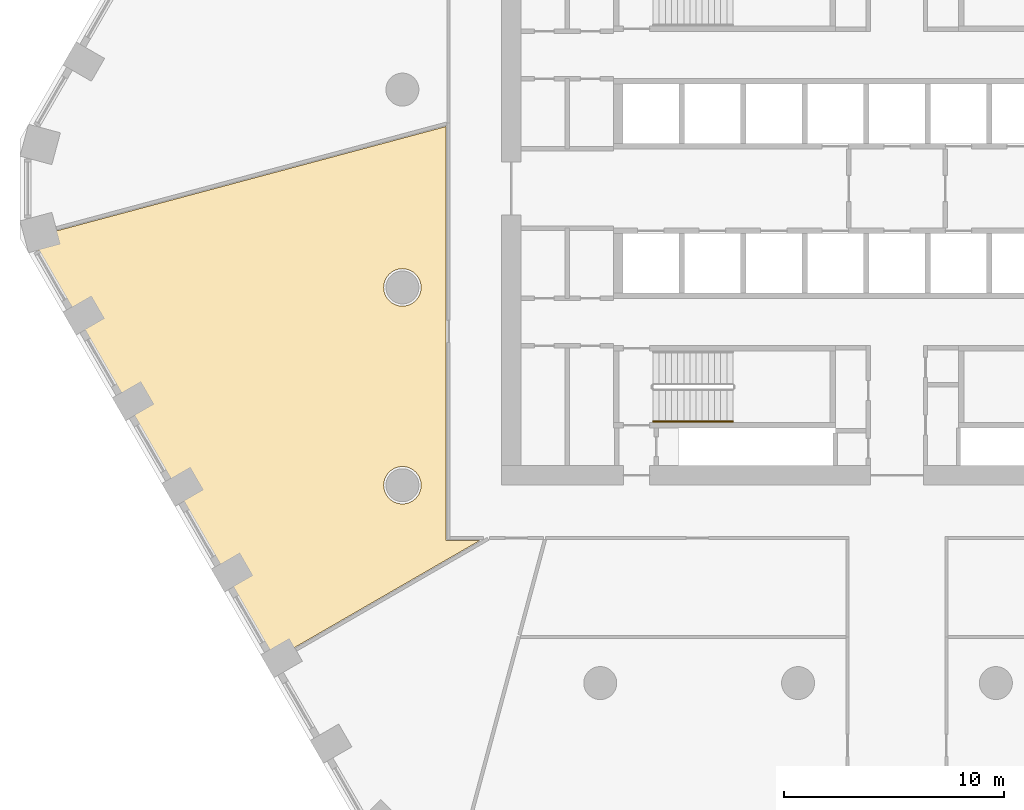
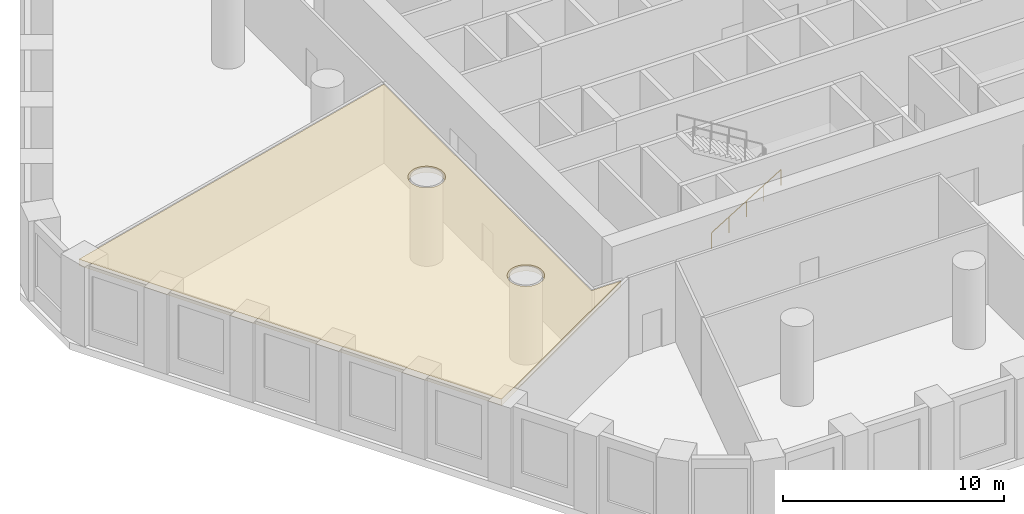
# One storey, part 12 of 13: 1 covering, 1 railing.
"""IFC4 building model written with IfcOpenShell, lengths in metres."""

import ifcopenshell
import ifcopenshell.guid

model = None  # the IFC model being written
_history = None  # IfcOwnerHistory: only IFC2X3 demands one
_inside = {}  # id of a spatial element -> (the spatial element, [elements in it])
_under = {}  # id of a project, library or spatial element -> (it, [spatial elements below it])
_declared = {}  # id of a project -> (the project, [libraries it declares])
_typed = {}  # id of a type object -> (the type object, [elements of that type])
_made_of = {}  # id of a material, layer set ... -> (it, [elements and type objects made of it])


def new_model(schema):
    """Start an empty IFC model of exactly this schema.

    Asked for "IFC4X3", IfcOpenShell would pick the latest addendum, in which some entities
    have other attributes; the version numbers below select the first issue.
    IFC2X3 requires an IfcOwnerHistory on every rooted entity: one is made here for all.
    """
    global model, _history
    if schema == "IFC4X3":
        model = ifcopenshell.file(schema_version=(4, 3, 0, 0))
    else:
        model = ifcopenshell.file(schema=schema)
    _inside.clear()
    _under.clear()
    _declared.clear()
    _typed.clear()
    _made_of.clear()
    _history = None
    if model.schema == "IFC2X3":
        org = make("IfcOrganization", Name="unknown")
        user = make(
            "IfcPersonAndOrganization",
            ThePerson=make("IfcPerson", FamilyName="unknown"),
            TheOrganization=org,
        )
        app = make(
            "IfcApplication",
            ApplicationDeveloper=org,
            Version="unknown",
            ApplicationFullName="unknown",
            ApplicationIdentifier="unknown",
        )
        _history = make(
            "IfcOwnerHistory",
            OwningUser=user,
            OwningApplication=app,
            ChangeAction="ADDED",
            CreationDate=0,
        )
    return model


def make(cls, **values):
    """One entity of the class cls with the attributes given. An attribute that is None is left unset."""
    return model.create_entity(
        cls, **{name: value for name, value in values.items() if value is not None}
    )


def rooted(cls, **values):
    """An entity with a GlobalId (a new one), such as an element, a storey or a relation."""
    return make(cls, GlobalId=ifcopenshell.guid.new(), OwnerHistory=_history, **values)


def si_unit(unit_type, name, prefix=None):
    """IfcSIUnit, for example si_unit("LENGTHUNIT", "METRE", prefix="MILLI")."""
    return make("IfcSIUnit", UnitType=unit_type, Prefix=prefix, Name=name)


def assignment(units):
    """IfcUnitAssignment: the units of a project."""
    return None if units is None else make("IfcUnitAssignment", Units=units)


def point(xyz):
    """IfcCartesianPoint."""
    return None if xyz is None else make("IfcCartesianPoint", Coordinates=xyz)


def direction(xyz):
    """IfcDirection."""
    return None if xyz is None else make("IfcDirection", DirectionRatios=xyz)


def frame(location, z_axis=None, x_axis=None):
    """IfcAxis2Placement3D, a coordinate frame: its origin and axes. An axis left out is left unset."""
    return make(
        "IfcAxis2Placement3D",
        Location=point(location),
        Axis=direction(z_axis),
        RefDirection=direction(x_axis),
    )


def frame_2d(location, x_axis=None):
    """IfcAxis2Placement2D, a coordinate frame in the plane: its origin and x axis."""
    return make(
        "IfcAxis2Placement2D", Location=point(location), RefDirection=direction(x_axis)
    )


def origin():
    """The frame at (0, 0, 0) with its axes left unset."""
    return frame((0.0, 0.0, 0.0))


def origin_2d():
    """The frame at (0, 0) in the plane with its x axis left unset."""
    return frame_2d((0.0, 0.0))


def place(relative_to, where):
    """IfcLocalPlacement: puts the frame where relative to a parent placement (None: the world)."""
    return make(
        "IfcLocalPlacement", PlacementRelTo=relative_to, RelativePlacement=where
    )


def context(
    kind, dimensions, precision=None, world=None, true_north=None, identifier=None
):
    """IfcGeometricRepresentationContext, for example the 3D "Model" context."""
    return make(
        "IfcGeometricRepresentationContext",
        ContextIdentifier=identifier,
        ContextType=kind,
        CoordinateSpaceDimension=dimensions,
        Precision=precision,
        WorldCoordinateSystem=world,
        TrueNorth=true_north,
    )


def subcontext(parent, identifier, kind, view, scale=None):
    """IfcGeometricRepresentationSubContext, for example "Body" below "Model"."""
    return make(
        "IfcGeometricRepresentationSubContext",
        ContextIdentifier=identifier,
        ContextType=kind,
        ParentContext=parent,
        TargetScale=scale,
        TargetView=view,
    )


def project(units=None, contexts=None):
    """IfcProject with its units and contexts."""
    return rooted(
        "IfcProject",
        Name="project",
        RepresentationContexts=contexts,
        UnitsInContext=assignment(units),
    )


def spatial(cls, under=None, at=None, **own):
    """A site, building, storey or space (cls), placed at a placement, below another one or the project."""
    s = rooted(cls, ObjectPlacement=at, **own)
    if under is not None:
        _under.setdefault(under.id(), (under, []))[1].append(s)
    return s


def polyline(points):
    """IfcPolyline through the points."""
    return make("IfcPolyline", Points=[point(p) for p in points])


def profile(cls, at=None, kind="AREA", **sizes):
    """A parametric profile (cls). Its sizes go by their IFC names, for example OverallWidth=200.0."""
    return make(cls, ProfileType=kind, Position=at, **sizes)


def circle(**sizes):
    """IfcCircleProfileDef."""
    return profile("IfcCircleProfileDef", **sizes)


def outline(outer, holes=None, kind="AREA"):
    """IfcArbitraryClosedProfileDef: a profile drawn as a closed curve; with holes, ...WithVoids."""
    if holes is None:
        return make("IfcArbitraryClosedProfileDef", ProfileType=kind, OuterCurve=outer)
    return make(
        "IfcArbitraryProfileDefWithVoids",
        ProfileType=kind,
        OuterCurve=outer,
        InnerCurves=holes,
    )


def extrude(swept, where, along, depth):
    """IfcExtrudedAreaSolid: the profile swept, set in the frame where, extruded along a direction by depth."""
    return make(
        "IfcExtrudedAreaSolid",
        SweptArea=swept,
        Position=where,
        ExtrudedDirection=direction(along),
        Depth=depth,
    )


def shape(context_of_items, identifier, shape_type, items):
    """IfcShapeRepresentation: the items that make up one representation, for example the "Body"."""
    return make(
        "IfcShapeRepresentation",
        ContextOfItems=context_of_items,
        RepresentationIdentifier=identifier,
        RepresentationType=shape_type,
        Items=items,
    )


def material(Name=None, Category=None):
    """IfcMaterial."""
    return make("IfcMaterial", Name=Name, Category=Category)


def layer(
    of_material, thickness, ventilated=None, Name=None, Category=None, Priority=None
):
    """IfcMaterialLayer: one layer of a wall or slab, of a material (None: an air gap)."""
    return make(
        "IfcMaterialLayer",
        Material=of_material,
        LayerThickness=thickness,
        IsVentilated=ventilated,
        Name=Name,
        Category=Category,
        Priority=Priority,
    )


def layer_set(layers, Name=None):
    """IfcMaterialLayerSet."""
    return make("IfcMaterialLayerSet", MaterialLayers=layers, LayerSetName=Name)


def made_of(thing, what):
    """Note that an element or type object is made of a material, layer set ...; save() writes the relation."""
    if what is not None:
        _made_of.setdefault(what.id(), (what, []))[1].append(thing)
    return thing


def type_object(cls, material=None, **own):
    """A type object (cls), such as IfcWallType, which elements share."""
    return made_of(rooted(cls, **own), material)


def element(
    cls,
    number,
    at=None,
    inside=None,
    cuts=None,
    type_object=None,
    material=None,
    context=None,
    identifier="Body",
    shape_type=None,
    held_by="IfcProductDefinitionShape",
    body=None,
    shapes=None,
    **own,
):
    """One element of the class cls, such as IfcWall. Its Tag is "e" and its number.

    at: its placement. inside: the storey or other place that contains it. cuts: it is an
    opening in that element (IfcRelVoidsElement). A single representation is given by context,
    identifier, shape_type and body (its items); several are given by shapes. held_by: the class
    of the entity that holds the representations. save() writes the other relations.
    """
    e = rooted(cls, Tag="e%d" % number, ObjectPlacement=at, **own)
    if body is not None:
        shapes = [shape(context, identifier, shape_type, body)]
    if shapes is not None:
        e.Representation = make(held_by, Representations=shapes)
    if inside is not None:
        _inside.setdefault(inside.id(), (inside, []))[1].append(e)
    if cuts is not None:
        rooted(
            "IfcRelVoidsElement", RelatingBuildingElement=cuts, RelatedOpeningElement=e
        )
    if type_object is not None:
        _typed.setdefault(type_object.id(), (type_object, []))[1].append(e)
    return made_of(e, material)


def aggregate(whole, parts):
    """IfcRelAggregates: a whole, such as a stair, and the parts it consists of."""
    return rooted("IfcRelAggregates", RelatingObject=whole, RelatedObjects=parts)


def save(model, path):
    """Write the relations noted so far, then the file.

    IfcRelAggregates (storeys below a building ...), IfcRelContainedInSpatialStructure (elements
    in a storey), IfcRelDefinesByType, IfcRelAssociatesMaterial and IfcRelDeclares: one each for
    every whole, place, type object, material and project.
    """
    for whole, parts in _under.values():
        aggregate(whole, parts)
    for where, things in _inside.values():
        rooted(
            "IfcRelContainedInSpatialStructure",
            RelatedElements=things,
            RelatingStructure=where,
        )
    for kind, things in _typed.values():
        rooted("IfcRelDefinesByType", RelatedObjects=things, RelatingType=kind)
    for what, things in _made_of.values():
        rooted("IfcRelAssociatesMaterial", RelatedObjects=things, RelatingMaterial=what)
    for by, libraries in _declared.values():
        rooted("IfcRelDeclares", RelatingContext=by, RelatedDefinitions=libraries)
    model.write(path)


model = new_model("IFC4")

# Units and contexts
model_context = context("Model", 3, precision=1e-05, world=origin(), true_north=direction((0.0, 1.0)))
body_context = subcontext(model_context, "Body", "Model", "MODEL_VIEW")
ifc_project = project(units=[si_unit("LENGTHUNIT", "METRE"), si_unit("AREAUNIT", "SQUARE_METRE"), si_unit("VOLUMEUNIT", "CUBIC_METRE"), si_unit("PLANEANGLEUNIT", "RADIAN"), si_unit("MASSUNIT", "GRAM", prefix="KILO")], contexts=[model_context])

# Site, building, storey
site_placement = place(None, origin())
site = spatial("IfcSite", under=ifc_project, at=site_placement, CompositionType="ELEMENT")
building_placement = place(site_placement, origin())
building = spatial("IfcBuilding", under=site, at=building_placement, Name="Dhurran Vertical Campus", CompositionType="ELEMENT")
storey_placement = place(building_placement, frame((0.0, 0.0, 25.199951171875)))
storey = spatial("IfcBuildingStorey", under=building, at=storey_placement, Name="L05", CompositionType="ELEMENT", Elevation=25.199951171875)

# Railing
ifc_material_1 = material(Name="Stainless steel handrail", Category="steel")
railing_type = type_object("IfcRailingType", Name="co-RL-HANDRAIL-900", PredefinedType="HANDRAIL", material=ifc_material_1)
railing_placement = place(storey_placement, frame((-11.10009765625, -10.60009765625, 0.17138671875)))
element("IfcRailing", 1, at=railing_placement, inside=storey, type_object=railing_type, Name="L05 ST3 stair handrail 1", PredefinedType="HANDRAIL", context=body_context, shape_type="SweptSolid", body=[
    extrude(circle(Radius=0.02392578125, at=origin_2d()), frame((0.0, 0.0, 0.8759765625), z_axis=(0.852840387347, 0.0, 0.522171689878), x_axis=(0.0, 1.0, 0.0)), (0.0, 0.0, 1.0), 4.268310546875),
    extrude(circle(Radius=0.02099609375, at=origin_2d()), origin(), (0.0, 0.0, 1.0), 0.851806640625),
    extrude(circle(Radius=0.02099609375, at=origin_2d()), frame((0.91015625, 0.0, 0.55712890625)), (0.0, 0.0, 1.0), 0.851806640625),
    extrude(circle(Radius=0.02099609375, at=origin_2d()), frame((1.820068359375, 0.0, 1.1142578125)), (0.0, 0.0, 1.0), 0.851806640625),
    extrude(circle(Radius=0.02099609375, at=origin_2d()), frame((2.72998046875, 0.0, 1.671630859375)), (0.0, 0.0, 1.0), 0.851806640625),
    extrude(circle(Radius=0.02099609375, at=origin_2d()), frame((3.64013671875, 0.0, 2.228759765625)), (0.0, 0.0, 1.0), 0.851806640625),
])

# Covering
ifc_material_2 = material(Name="Mineral fibre ceiling tiles on suspended grid")
ifc_layer = layer(ifc_material_2, 0.35009765625)
ifc_layer_set = layer_set([ifc_layer], Name="Mineral fibre ceiling tiles on suspended grid")
covering_type = type_object("IfcCoveringType", Name="fl-CE-350 suspended ceiling", PredefinedType="CEILING", material=ifc_layer_set)
covering_placement = place(storey_placement, frame((0.0, 0.0, 4.074951171875)))
element("IfcCovering", 2, at=covering_placement, inside=storey, type_object=covering_type, Name="Ceiling 05-04", PredefinedType="CEILING", context=body_context, shape_type="SweptSolid", body=[
    extrude(outline(polyline([(-39.4150390625, -2.2451171875), (-20.52001953125, 2.818115234375), (-20.52001953125, -16.02001953125), (-18.988037109375, -16.02001953125), (-28.343017578125, -21.422119140625), (-39.4150390625, -2.2451171875)]), holes=[polyline([(-22.5, -12.64990234375), (-22.5830078125, -12.654052734375), (-22.666015625, -12.666015625), (-22.7470703125, -12.68701171875), (-22.824951171875, -12.715087890625), (-22.90087890625, -12.75), (-22.971923828125, -12.79296875), (-23.0390625, -12.843017578125), (-23.10107421875, -12.89892578125), (-23.156982421875, -12.9609375), (-23.20703125, -13.028076171875), (-23.25, -13.09912109375), (-23.284912109375, -13.175048828125), (-23.31298828125, -13.2529296875), (-23.333984375, -13.333984375), (-23.345947265625, -13.4169921875), (-23.35009765625, -13.5), (-23.345947265625, -13.5830078125), (-23.333984375, -13.666015625), (-23.31298828125, -13.7470703125), (-23.284912109375, -13.824951171875), (-23.25, -13.90087890625), (-23.20703125, -13.971923828125), (-23.156982421875, -14.0390625), (-23.10107421875, -14.10107421875), (-23.0390625, -14.156982421875), (-22.971923828125, -14.20703125), (-22.90087890625, -14.25), (-22.824951171875, -14.284912109375), (-22.7470703125, -14.31298828125), (-22.666015625, -14.333984375), (-22.5830078125, -14.345947265625), (-22.5, -14.35009765625), (-22.4169921875, -14.345947265625), (-22.333984375, -14.333984375), (-22.2529296875, -14.31298828125), (-22.175048828125, -14.284912109375), (-22.09912109375, -14.25), (-22.028076171875, -14.20703125), (-21.9609375, -14.156982421875), (-21.89892578125, -14.10107421875), (-21.843017578125, -14.0390625), (-21.79296875, -13.971923828125), (-21.75, -13.90087890625), (-21.715087890625, -13.824951171875), (-21.68701171875, -13.7470703125), (-21.666015625, -13.666015625), (-21.654052734375, -13.5830078125), (-21.64990234375, -13.5), (-21.654052734375, -13.4169921875), (-21.666015625, -13.333984375), (-21.68701171875, -13.2529296875), (-21.715087890625, -13.175048828125), (-21.75, -13.09912109375), (-21.79296875, -13.028076171875), (-21.843017578125, -12.9609375), (-21.89892578125, -12.89892578125), (-21.9609375, -12.843017578125), (-22.028076171875, -12.79296875), (-22.09912109375, -12.75), (-22.175048828125, -12.715087890625), (-22.2529296875, -12.68701171875), (-22.333984375, -12.666015625), (-22.4169921875, -12.654052734375), (-22.5, -12.64990234375)]), polyline([(-22.4169921875, -3.654052734375), (-22.5, -3.64990234375), (-22.5830078125, -3.654052734375), (-22.666015625, -3.666015625), (-22.7470703125, -3.68701171875), (-22.824951171875, -3.715087890625), (-22.90087890625, -3.75), (-22.971923828125, -3.79296875), (-23.0390625, -3.843017578125), (-23.10107421875, -3.89892578125), (-23.156982421875, -3.9609375), (-23.20703125, -4.028076171875), (-23.25, -4.09912109375), (-23.284912109375, -4.175048828125), (-23.31298828125, -4.2529296875), (-23.333984375, -4.333984375), (-23.345947265625, -4.4169921875), (-23.35009765625, -4.5), (-23.345947265625, -4.5830078125), (-23.333984375, -4.666015625), (-23.31298828125, -4.7470703125), (-23.284912109375, -4.824951171875), (-23.25, -4.90087890625), (-23.20703125, -4.971923828125), (-23.156982421875, -5.0390625), (-23.10107421875, -5.10107421875), (-23.0390625, -5.156982421875), (-22.971923828125, -5.20703125), (-22.90087890625, -5.25), (-22.824951171875, -5.284912109375), (-22.7470703125, -5.31298828125), (-22.666015625, -5.333984375), (-22.5830078125, -5.345947265625), (-22.5, -5.35009765625), (-22.4169921875, -5.345947265625), (-22.333984375, -5.333984375), (-22.2529296875, -5.31298828125), (-22.175048828125, -5.284912109375), (-22.09912109375, -5.25), (-22.028076171875, -5.20703125), (-21.9609375, -5.156982421875), (-21.89892578125, -5.10107421875), (-21.843017578125, -5.0390625), (-21.79296875, -4.971923828125), (-21.75, -4.90087890625), (-21.715087890625, -4.824951171875), (-21.68701171875, -4.7470703125), (-21.666015625, -4.666015625), (-21.654052734375, -4.5830078125), (-21.64990234375, -4.5), (-21.654052734375, -4.4169921875), (-21.666015625, -4.333984375), (-21.68701171875, -4.2529296875), (-21.715087890625, -4.175048828125), (-21.75, -4.09912109375), (-21.79296875, -4.028076171875), (-21.843017578125, -3.9609375), (-21.89892578125, -3.89892578125), (-21.9609375, -3.843017578125), (-22.028076171875, -3.79296875), (-22.09912109375, -3.75), (-22.175048828125, -3.715087890625), (-22.2529296875, -3.68701171875), (-22.333984375, -3.666015625), (-22.4169921875, -3.654052734375)])]), origin(), (0.0, 0.0, 1.0), 0.35009765625),
])

save(model, "model.ifc")
